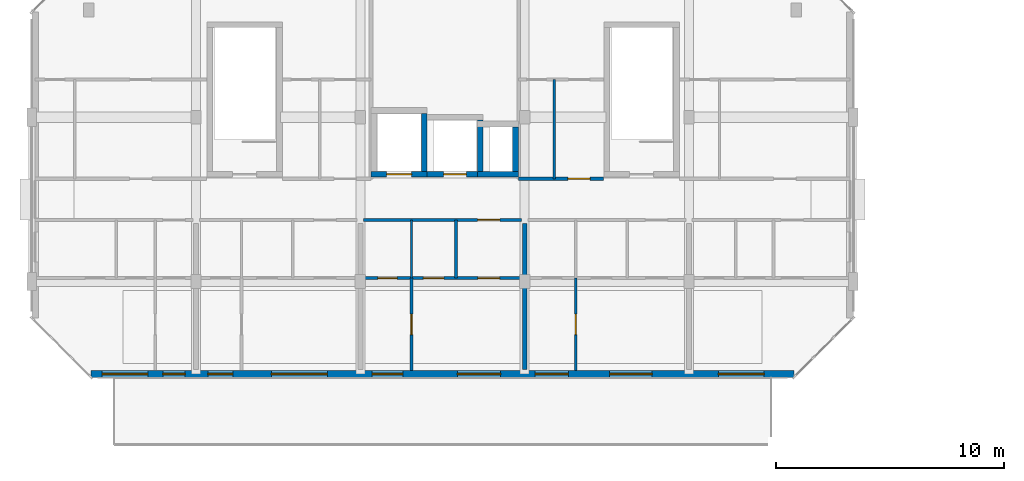
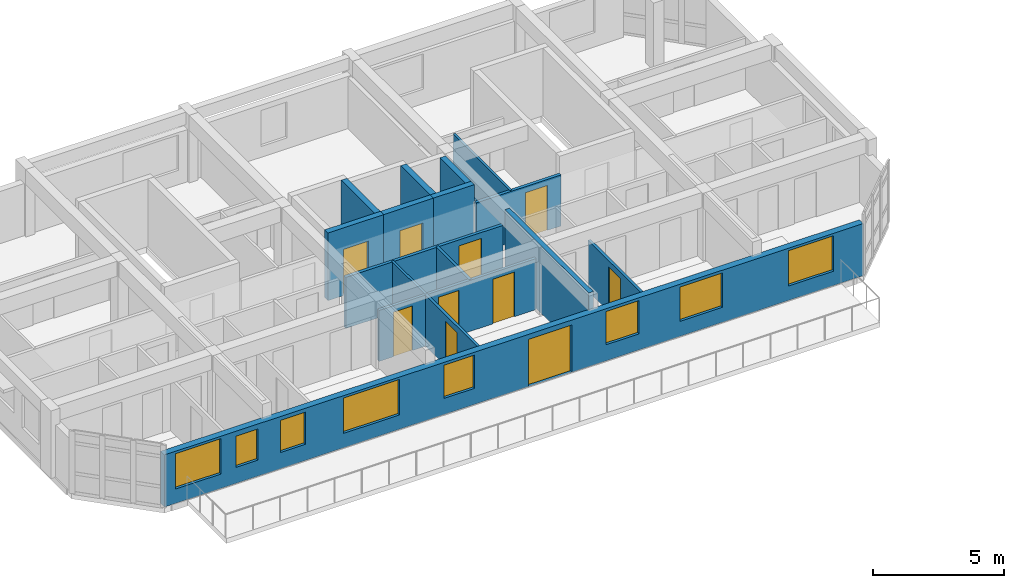
# One storey, part 16 of 40: 16 walls, 10 doors, 8 windows, 18 openings.
"""IFC4 building model written with IfcOpenShell, lengths in metres."""

from ifc_helpers import new_model, si_unit, direction, frame, frame_2d, origin, place, context, subcontext, project, spatial, rectangle, extrude, material, layer, layer_set, type_object, element, fill, save


model = new_model("IFC4")

# Units and contexts
model_context = context("Model", 3, precision=1e-05, world=origin(), true_north=direction((0.0, 1.0)))
body_context = subcontext(model_context, "Body", "Model", "MODEL_VIEW")
ifc_project = project(units=[si_unit("LENGTHUNIT", "METRE"), si_unit("AREAUNIT", "SQUARE_METRE"), si_unit("VOLUMEUNIT", "CUBIC_METRE"), si_unit("PLANEANGLEUNIT", "RADIAN"), si_unit("MASSUNIT", "GRAM", prefix="KILO")], contexts=[model_context])

# Site, building, storey
site_placement = place(None, origin())
site = spatial("IfcSite", under=ifc_project, at=site_placement, CompositionType="ELEMENT")
building_placement = place(site_placement, origin())
building = spatial("IfcBuilding", under=site, at=building_placement, Name="Ochrevale Crest", CompositionType="ELEMENT")
storey_placement = place(building_placement, frame((0.0, 0.0, 27.60009765625)))
storey = spatial("IfcBuildingStorey", under=building, at=storey_placement, Name="L08", CompositionType="ELEMENT", Elevation=27.60009765625)

# Wall, opening, door
ifc_material_1 = material(Name="Gypsum plasterboard", Category="gypsum")
ifc_layer_1 = layer(ifc_material_1, 0.139892578125)
ifc_layer_set_1 = layer_set([ifc_layer_1], Name="Gypsum plasterboard")
wall_type_1 = type_object("IfcWallType", Name="WL-COR-140", PredefinedType="PARTITIONING", material=ifc_layer_set_1)
wall_1_placement = place(storey_placement, frame((14.5400390625, 24.300048828125, 0.0), z_axis=(0.0, 0.0, 1.0), x_axis=(1.0, 0.0, 0.0)))
wall_1 = element("IfcWall", 1, at=wall_1_placement, inside=storey, type_object=wall_type_1, Name="Apartment A-L08-U3 corridor wall", PredefinedType="PARTITIONING", context=body_context, shape_type="SweptSolid", body=[
    extrude(rectangle(XDim=6.919921875, YDim=0.139892578125, at=frame_2d((3.4599609375, 0.0))), origin(), (0.0, 0.0, 1.0), 2.3798828125),
])
opening_1_placement = place(wall_1_placement, frame((5.97509765625, 0.0, 0.0), z_axis=(0.0, 0.0, 1.0), x_axis=(-1.0, 0.0, 0.0)))
opening_1 = element("IfcOpeningElement", 2, at=opening_1_placement, cuts=wall_1, Name="Opening FD01", PredefinedType="OPENING", context=body_context, shape_type="SweptSolid", body=[
    extrude(rectangle(XDim=0.97998046875, YDim=2.10009765625, at=frame_2d((0.489990234375, 1.050048828125))), frame((0.0, 0.080078125, 0.0), z_axis=(0.0, -1.0, 0.0), x_axis=(1.0, 0.0, 0.0)), (0.0, 0.0, 1.0), 0.159912109375),
])
ifc_material_2 = material(Name="Solid-core FSC hardwood", Category="wood")
door_type_1 = type_object("IfcDoorType", Name="DR-APT-950", OperationType="NOTDEFINED", PredefinedType="DOOR", material=ifc_material_2)
door_1_placement = place(opening_1_placement, origin())
door_1 = element("IfcDoor", 3, at=door_1_placement, inside=storey, type_object=door_type_1, Name="Apartment A-L08-U3 entrance door", OperationType="SINGLE_SWING_RIGHT", OverallHeight=2.10009765625, OverallWidth=0.97998046875, PredefinedType="DOOR", context=body_context, shape_type="SweptSolid", body=[
    extrude(rectangle(XDim=0.97998046875, YDim=2.10009765625, at=frame_2d((0.489990234375, 1.050048828125))), frame((0.0, 0.02490234375, 0.0), z_axis=(0.0, -1.0, 0.0), x_axis=(1.0, 0.0, 0.0)), (0.0, 0.0, 1.0), 0.050048828125),
])
fill(opening_1, door_1)

wall_2_placement = place(storey_placement, frame((21.340087890625, 26.10009765625, 0.0), z_axis=(0.0, 0.0, 1.0), x_axis=(1.0, 0.0, 0.0)))
wall_2 = element("IfcWall", 4, at=wall_2_placement, inside=storey, type_object=wall_type_1, Name="Suite A-L08-ME corridor wall", PredefinedType="PARTITIONING", context=body_context, shape_type="SweptSolid", body=[
    extrude(rectangle(XDim=3.719970703125, YDim=0.139892578125, at=frame_2d((1.85986328125, 0.0))), origin(), (0.0, 0.0, 1.0), 2.3798828125),
])
opening_2_placement = place(wall_2_placement, frame((3.131103515625, 0.0, 0.0), z_axis=(0.0, 0.0, 1.0), x_axis=(-1.0, 0.0, 0.0)))
opening_2 = element("IfcOpeningElement", 5, at=opening_2_placement, cuts=wall_2, Name="Opening FD01", PredefinedType="OPENING", context=body_context, shape_type="SweptSolid", body=[
    extrude(rectangle(XDim=0.97998046875, YDim=2.10009765625, at=frame_2d((0.489990234375, 1.050048828125))), frame((0.0, 0.080078125, 0.0), z_axis=(0.0, -1.0, 0.0), x_axis=(1.0, 0.0, 0.0)), (0.0, 0.0, 1.0), 0.159912109375),
])
door_2_placement = place(opening_2_placement, origin())
door_2 = element("IfcDoor", 6, at=door_2_placement, inside=storey, type_object=door_type_1, Name="Suite A-L08-ME entrance door", OperationType="SINGLE_SWING_RIGHT", OverallHeight=2.10009765625, OverallWidth=0.97998046875, PredefinedType="DOOR", context=body_context, shape_type="SweptSolid", body=[
    extrude(rectangle(XDim=0.97998046875, YDim=2.10009765625, at=frame_2d((0.489990234375, 1.050048828125))), frame((0.0, 0.02490234375, 0.0), z_axis=(0.0, -1.0, 0.0), x_axis=(1.0, 0.0, 0.0)), (0.0, 0.0, 1.0), 0.050048828125),
])
fill(opening_2, door_2)

ifc_material_3 = material(Name="Precast concrete C50/60", Category="concrete")
ifc_layer_2 = layer(ifc_material_3, 0.2548828125)
ifc_layer_set_2 = layer_set([ifc_layer_2], Name="Precast concrete C50/60")
wall_type_2 = type_object("IfcWallType", Name="WL-CORE-255", PredefinedType="SHEAR", material=ifc_layer_set_2)
wall_3_placement = place(storey_placement, frame((14.87255859375, 26.300048828125, 0.0), z_axis=(0.0, 0.0, 1.0), x_axis=(1.0, 0.0, 0.0)))
wall_3 = element("IfcWall", 7, at=wall_3_placement, inside=storey, type_object=wall_type_2, Name="Block A L08 Lift 1 precast shaft shear wall S", PredefinedType="SHEAR", context=body_context, shape_type="SweptSolid", body=[
    extrude(rectangle(XDim=2.454833984375, YDim=0.2548828125, at=frame_2d((1.2275390625, 0.0))), origin(), (0.0, 0.0, 1.0), 3.14990234375),
])
opening_3_placement = place(wall_3_placement, frame((0.677490234375, 0.0, 0.0)))
opening_3 = element("IfcOpeningElement", 8, at=opening_3_placement, cuts=wall_3, Name="Opening LD01", PredefinedType="OPENING", context=body_context, shape_type="SweptSolid", body=[
    extrude(rectangle(XDim=1.10009765625, YDim=2.14990234375, at=frame_2d((0.550048828125, 1.074951171875))), frame((0.0, 0.137451171875, 0.0), z_axis=(0.0, -1.0, 0.0), x_axis=(1.0, 0.0, 0.0)), (0.0, 0.0, 1.0), 0.27490234375),
])
door_type_2 = type_object("IfcDoorType", Name="DR-LIFT-1100", OperationType="NOTDEFINED", PredefinedType="DOOR", material=ifc_material_2)
door_3_placement = place(opening_3_placement, origin())
door_3 = element("IfcDoor", 9, at=door_3_placement, inside=storey, type_object=door_type_2, Name="Lift LF-A1 L08 sliding landing door", OperationType="SLIDING_TO_LEFT", OverallHeight=2.14990234375, OverallWidth=1.10009765625, PredefinedType="DOOR", context=body_context, shape_type="SweptSolid", body=[
    extrude(rectangle(XDim=1.10009765625, YDim=2.14990234375, at=frame_2d((0.550048828125, 1.074951171875))), frame((0.0, 0.02490234375, 0.0), z_axis=(0.0, -1.0, 0.0), x_axis=(1.0, 0.0, 0.0)), (0.0, 0.0, 1.0), 0.050048828125),
])
fill(opening_3, door_3)

# Wall
wall_4_placement = place(storey_placement, frame((17.199951171875, 26.427490234375, 0.0), z_axis=(0.0, 0.0, 1.0), x_axis=(0.0, 1.0, 0.0)))
element("IfcWall", 10, at=wall_4_placement, inside=storey, type_object=wall_type_2, Name="Block A L08 Lift 1 precast shaft shear wall E", PredefinedType="SHEAR", context=body_context, shape_type="SweptSolid", body=[
    extrude(rectangle(XDim=2.544921875, YDim=0.2548828125, at=frame_2d((1.2724609375, 0.0))), origin(), (0.0, 0.0, 1.0), 3.14990234375),
])

# Wall, opening, door
wall_5_placement = place(storey_placement, frame((17.322509765625, 26.300048828125, 0.0), z_axis=(0.0, 0.0, 1.0), x_axis=(1.0, 0.0, 0.0)))
wall_5 = element("IfcWall", 11, at=wall_5_placement, inside=storey, type_object=wall_type_2, Name="Block A L08 Lift 2 precast shaft shear wall S", PredefinedType="SHEAR", context=body_context, shape_type="SweptSolid", body=[
    extrude(rectangle(XDim=2.455078125, YDim=0.2548828125, at=frame_2d((1.2275390625, 0.0))), origin(), (0.0, 0.0, 1.0), 3.14990234375),
])
opening_4_placement = place(wall_5_placement, frame((0.7275390625, 0.0, 0.0)))
opening_4 = element("IfcOpeningElement", 12, at=opening_4_placement, cuts=wall_5, Name="Opening LD02", PredefinedType="OPENING", context=body_context, shape_type="SweptSolid", body=[
    extrude(rectangle(XDim=1.0, YDim=2.14990234375, at=frame_2d((0.5, 1.074951171875))), frame((0.0, 0.137451171875, 0.0), z_axis=(0.0, -1.0, 0.0), x_axis=(1.0, 0.0, 0.0)), (0.0, 0.0, 1.0), 0.27490234375),
])
door_type_3 = type_object("IfcDoorType", Name="DR-LIFT-1000", OperationType="NOTDEFINED", PredefinedType="DOOR", material=ifc_material_2)
door_4_placement = place(opening_4_placement, origin())
door_4 = element("IfcDoor", 13, at=door_4_placement, inside=storey, type_object=door_type_3, Name="Lift LP-A2 L08 sliding landing door", OperationType="SLIDING_TO_RIGHT", OverallHeight=2.14990234375, OverallWidth=1.0, PredefinedType="DOOR", context=body_context, shape_type="SweptSolid", body=[
    extrude(rectangle(XDim=1.0, YDim=2.14990234375, at=frame_2d((0.5, 1.074951171875))), frame((0.0, 0.02490234375, 0.0), z_axis=(0.0, -1.0, 0.0), x_axis=(1.0, 0.0, 0.0)), (0.0, 0.0, 1.0), 0.050048828125),
])
fill(opening_4, door_4)

# Walls
wall_6_placement = place(storey_placement, frame((19.64990234375, 26.427490234375, 0.0), z_axis=(0.0, 0.0, 1.0), x_axis=(0.0, 1.0, 0.0)))
element("IfcWall", 14, at=wall_6_placement, inside=storey, type_object=wall_type_2, Name="Block A L08 Lift 2 precast shaft shear wall E", PredefinedType="SHEAR", context=body_context, shape_type="SweptSolid", body=[
    extrude(rectangle(XDim=2.2451171875, YDim=0.2548828125, at=frame_2d((1.12255859375, 0.0))), origin(), (0.0, 0.0, 1.0), 3.14990234375),
])
wall_7_placement = place(storey_placement, frame((19.5224609375, 26.300048828125, 0.0), z_axis=(0.0, 0.0, 1.0), x_axis=(1.0, 0.0, 0.0)))
element("IfcWall", 15, at=wall_7_placement, inside=storey, type_object=wall_type_2, Name="Block A L08 services riser shaft core wall S", PredefinedType="SHEAR", context=body_context, shape_type="SweptSolid", body=[
    extrude(rectangle(XDim=1.804931640625, YDim=0.2548828125, at=frame_2d((0.90234375, 0.0))), origin(), (0.0, 0.0, 1.0), 3.14990234375),
])
wall_8_placement = place(storey_placement, frame((21.199951171875, 26.427490234375, 0.0), z_axis=(0.0, 0.0, 1.0), x_axis=(0.0, 1.0, 0.0)))
element("IfcWall", 16, at=wall_8_placement, inside=storey, type_object=wall_type_2, Name="Block A L08 services riser shaft core wall E", PredefinedType="SHEAR", context=body_context, shape_type="SweptSolid", body=[
    extrude(rectangle(XDim=1.945068359375, YDim=0.2548828125, at=frame_2d((0.97265625, 0.0))), origin(), (0.0, 0.0, 1.0), 3.14990234375),
])

# Wall, openings, door, windows
ifc_material_4 = material(Name="Clay face brickwork", Category="masonry")
ifc_layer_3 = layer(ifc_material_4, 0.2900390625)
ifc_layer_set_3 = layer_set([ifc_layer_3], Name="Clay face brickwork")
wall_type_3 = type_object("IfcWallType", Name="WL-EXT-BRICK-290", PredefinedType="SOLIDWALL", material=ifc_layer_set_3)
wall_9_placement = place(storey_placement, frame((2.60009765625, 17.544921875, 0.0), z_axis=(0.0, 0.0, 1.0), x_axis=(1.0, 0.0, 0.0)))
wall_9 = element("IfcWall", 17, at=wall_9_placement, inside=storey, type_object=wall_type_3, Name="Block A L08 external facade wall E1", PredefinedType="SOLIDWALL", context=body_context, shape_type="SweptSolid", body=[
    extrude(rectangle(XDim=30.7998046875, YDim=0.2900390625, at=frame_2d((15.39990234375, 0.0))), origin(), (0.0, 0.0, 1.0), 2.429931640625),
])
opening_5_placement = place(wall_9_placement, frame((17.949951171875, 0.0, 0.0), z_axis=(0.0, 0.0, 1.0), x_axis=(-1.0, 0.0, 0.0)))
opening_5 = element("IfcOpeningElement", 18, at=opening_5_placement, cuts=wall_9, Name="Opening TD01", PredefinedType="OPENING", context=body_context, shape_type="SweptSolid", body=[
    extrude(rectangle(XDim=1.89990234375, YDim=2.199951171875, at=frame_2d((0.949951171875, 1.10009765625))), frame((0.0, 0.155029296875, 0.0), z_axis=(0.0, -1.0, 0.0), x_axis=(1.0, 0.0, 0.0)), (0.0, 0.0, 1.0), 0.31005859375),
])
opening_6_placement = place(wall_9_placement, frame((0.485107421875, 0.0, 0.669921875)))
opening_6 = element("IfcOpeningElement", 19, at=opening_6_placement, cuts=wall_9, Name="Opening W12", PredefinedType="OPENING", context=body_context, shape_type="SweptSolid", body=[
    extrude(rectangle(XDim=2.0, YDim=1.64990234375, at=frame_2d((1.0, 0.824951171875))), frame((0.0, 0.155029296875, 0.0), z_axis=(0.0, -1.0, 0.0), x_axis=(1.0, 0.0, 0.0)), (0.0, 0.0, 1.0), 0.31005859375),
])
opening_7_placement = place(wall_9_placement, frame((3.14501953125, 0.0, 0.75)))
opening_7 = element("IfcOpeningElement", 20, at=opening_7_placement, cuts=wall_9, Name="Opening W04", PredefinedType="OPENING", context=body_context, shape_type="SweptSolid", body=[
    extrude(rectangle(XDim=0.97998046875, YDim=1.449951171875, at=frame_2d((0.489990234375, 0.72509765625))), frame((0.0, 0.155029296875, 0.0), z_axis=(0.0, -1.0, 0.0), x_axis=(1.0, 0.0, 0.0)), (0.0, 0.0, 1.0), 0.31005859375),
])
opening_8_placement = place(wall_9_placement, frame((5.114990234375, 0.0, 0.75)))
opening_8 = element("IfcOpeningElement", 21, at=opening_8_placement, cuts=wall_9, Name="Opening W05", PredefinedType="OPENING", context=body_context, shape_type="SweptSolid", body=[
    extrude(rectangle(XDim=1.10009765625, YDim=1.5, at=frame_2d((0.550048828125, 0.75))), frame((0.0, 0.155029296875, 0.0), z_axis=(0.0, -1.0, 0.0), x_axis=(1.0, 0.0, 0.0)), (0.0, 0.0, 1.0), 0.31005859375),
])
opening_9_placement = place(wall_9_placement, frame((7.89990234375, 0.0, 0.669921875)))
opening_9 = element("IfcOpeningElement", 22, at=opening_9_placement, cuts=wall_9, Name="Opening W15", PredefinedType="OPENING", context=body_context, shape_type="SweptSolid", body=[
    extrude(rectangle(XDim=2.449951171875, YDim=1.64990234375, at=frame_2d((1.22509765625, 0.824951171875))), frame((0.0, 0.155029296875, 0.0), z_axis=(0.0, -1.0, 0.0), x_axis=(1.0, 0.0, 0.0)), (0.0, 0.0, 1.0), 0.31005859375),
])
opening_10_placement = place(wall_9_placement, frame((12.320068359375, 0.0, 0.75)))
opening_10 = element("IfcOpeningElement", 23, at=opening_10_placement, cuts=wall_9, Name="Opening W07", PredefinedType="OPENING", context=body_context, shape_type="SweptSolid", body=[
    extrude(rectangle(XDim=1.340087890625, YDim=1.550048828125, at=frame_2d((0.669921875, 0.77490234375))), frame((0.0, 0.155029296875, 0.0), z_axis=(0.0, -1.0, 0.0), x_axis=(1.0, 0.0, 0.0)), (0.0, 0.0, 1.0), 0.31005859375),
])
opening_11_placement = place(wall_9_placement, frame((19.4599609375, 0.0, 0.75)))
opening_11 = element("IfcOpeningElement", 24, at=opening_11_placement, cuts=wall_9, Name="Opening W08", PredefinedType="OPENING", context=body_context, shape_type="SweptSolid", body=[
    extrude(rectangle(XDim=1.4599609375, YDim=1.550048828125, at=frame_2d((0.72998046875, 0.77490234375))), frame((0.0, 0.155029296875, 0.0), z_axis=(0.0, -1.0, 0.0), x_axis=(1.0, 0.0, 0.0)), (0.0, 0.0, 1.0), 0.31005859375),
])
opening_12_placement = place(wall_9_placement, frame((22.719970703125, 0.0, 0.699951171875)))
opening_12 = element("IfcOpeningElement", 25, at=opening_12_placement, cuts=wall_9, Name="Opening W11", PredefinedType="OPENING", context=body_context, shape_type="SweptSolid", body=[
    extrude(rectangle(XDim=1.860107421875, YDim=1.60009765625, at=frame_2d((0.93017578125, 0.800048828125))), frame((0.0, 0.155029296875, 0.0), z_axis=(0.0, -1.0, 0.0), x_axis=(1.0, 0.0, 0.0)), (0.0, 0.0, 1.0), 0.31005859375),
])
opening_13_placement = place(wall_9_placement, frame((27.489990234375, 0.0, 0.669921875)))
opening_13 = element("IfcOpeningElement", 26, at=opening_13_placement, cuts=wall_9, Name="Opening W12", PredefinedType="OPENING", context=body_context, shape_type="SweptSolid", body=[
    extrude(rectangle(XDim=2.0, YDim=1.64990234375, at=frame_2d((1.0, 0.824951171875))), frame((0.0, 0.155029296875, 0.0), z_axis=(0.0, -1.0, 0.0), x_axis=(1.0, 0.0, 0.0)), (0.0, 0.0, 1.0), 0.31005859375),
])
ifc_material_5 = material(Name="Anodised aluminium 6063-T5 and toughened glass", Category="aluminium")
door_type_4 = type_object("IfcDoorType", Name="DR-TER-1900", OperationType="NOTDEFINED", PredefinedType="DOOR", material=ifc_material_5)
door_5_placement = place(opening_5_placement, origin())
door_5 = element("IfcDoor", 27, at=door_5_placement, inside=storey, type_object=door_type_4, Name="Block A L08 roof-terrace double glazed door", OperationType="DOUBLE_DOOR_SINGLE_SWING", OverallHeight=2.199951171875, OverallWidth=1.89990234375, PredefinedType="DOOR", context=body_context, shape_type="SweptSolid", body=[
    extrude(rectangle(XDim=1.89990234375, YDim=2.199951171875, at=frame_2d((0.949951171875, 1.10009765625))), frame((0.0, 0.02490234375, 0.0), z_axis=(0.0, -1.0, 0.0), x_axis=(1.0, 0.0, 0.0)), (0.0, 0.0, 1.0), 0.050048828125),
])
fill(opening_5, door_5)
ifc_material_6 = material(Name="Anodised aluminium 6063-T5 and low-E double glazing", Category="aluminium")
window_type_1 = type_object("IfcWindowType", Name="WIN-W04", PartitioningType="SINGLE_PANEL", PredefinedType="WINDOW", material=ifc_material_6)
window_1_placement = place(opening_7_placement, origin())
window_1 = element("IfcWindow", 28, at=window_1_placement, inside=storey, type_object=window_type_1, Name="Block A L08 Apartment A-L08-U1 Two Bedroom Living Room window", OverallHeight=1.449951171875, OverallWidth=0.97998046875, PartitioningType="SINGLE_PANEL", PredefinedType="WINDOW", context=body_context, shape_type="SweptSolid", body=[
    extrude(rectangle(XDim=0.97998046875, YDim=1.449951171875, at=frame_2d((0.489990234375, 0.72509765625))), frame((0.0, 0.030029296875, 0.0), z_axis=(0.0, -1.0, 0.0), x_axis=(1.0, 0.0, 0.0)), (0.0, 0.0, 1.0), 0.06005859375),
])
fill(opening_7, window_1)
window_type_2 = type_object("IfcWindowType", Name="WIN-W05", PartitioningType="SINGLE_PANEL", PredefinedType="WINDOW", material=ifc_material_6)
window_2_placement = place(opening_8_placement, origin())
window_2 = element("IfcWindow", 29, at=window_2_placement, inside=storey, type_object=window_type_2, Name="Block A L08 Apartment A-L08-U2 Master Bedroom window", OverallHeight=1.5, OverallWidth=1.10009765625, PartitioningType="SINGLE_PANEL", PredefinedType="WINDOW", context=body_context, shape_type="SweptSolid", body=[
    extrude(rectangle(XDim=1.10009765625, YDim=1.5, at=frame_2d((0.550048828125, 0.75))), frame((0.0, 0.030029296875, 0.0), z_axis=(0.0, -1.0, 0.0), x_axis=(1.0, 0.0, 0.0)), (0.0, 0.0, 1.0), 0.06005859375),
])
fill(opening_8, window_2)
window_type_3 = type_object("IfcWindowType", Name="WIN-W07", PartitioningType="SINGLE_PANEL", PredefinedType="WINDOW", material=ifc_material_6)
window_3_placement = place(opening_10_placement, origin())
window_3 = element("IfcWindow", 30, at=window_3_placement, inside=storey, type_object=window_type_3, Name="Block A L08 Apartment A-L08-U3 Master Bedroom window", OverallHeight=1.550048828125, OverallWidth=1.340087890625, PartitioningType="SINGLE_PANEL", PredefinedType="WINDOW", context=body_context, shape_type="SweptSolid", body=[
    extrude(rectangle(XDim=1.340087890625, YDim=1.550048828125, at=frame_2d((0.669921875, 0.77490234375))), frame((0.0, 0.030029296875, 0.0), z_axis=(0.0, -1.0, 0.0), x_axis=(1.0, 0.0, 0.0)), (0.0, 0.0, 1.0), 0.06005859375),
])
fill(opening_10, window_3)
window_type_4 = type_object("IfcWindowType", Name="WIN-W08", PartitioningType="SINGLE_PANEL", PredefinedType="WINDOW", material=ifc_material_6)
window_4_placement = place(opening_11_placement, origin())
window_4 = element("IfcWindow", 31, at=window_4_placement, inside=storey, type_object=window_type_4, Name="Block A L08 Apartment A-L08-U4 Twin Bedroom window", OverallHeight=1.550048828125, OverallWidth=1.4599609375, PartitioningType="SINGLE_PANEL", PredefinedType="WINDOW", context=body_context, shape_type="SweptSolid", body=[
    extrude(rectangle(XDim=1.4599609375, YDim=1.550048828125, at=frame_2d((0.72998046875, 0.77490234375))), frame((0.0, 0.030029296875, 0.0), z_axis=(0.0, -1.0, 0.0), x_axis=(1.0, 0.0, 0.0)), (0.0, 0.0, 1.0), 0.06005859375),
])
fill(opening_11, window_4)
window_type_5 = type_object("IfcWindowType", Name="WIN-W11", PartitioningType="SINGLE_PANEL", PredefinedType="WINDOW", material=ifc_material_6)
window_5_placement = place(opening_12_placement, origin())
window_5 = element("IfcWindow", 32, at=window_5_placement, inside=storey, type_object=window_type_5, Name="Block A L08 Apartment A-L08-U4 Three Bedroom Family Living window", OverallHeight=1.60009765625, OverallWidth=1.860107421875, PartitioningType="SINGLE_PANEL", PredefinedType="WINDOW", context=body_context, shape_type="SweptSolid", body=[
    extrude(rectangle(XDim=1.860107421875, YDim=1.60009765625, at=frame_2d((0.93017578125, 0.800048828125))), frame((0.0, 0.030029296875, 0.0), z_axis=(0.0, -1.0, 0.0), x_axis=(1.0, 0.0, 0.0)), (0.0, 0.0, 1.0), 0.06005859375),
])
fill(opening_12, window_5)
window_type_6 = type_object("IfcWindowType", Name="WIN-W12", PartitioningType="SINGLE_PANEL", PredefinedType="WINDOW", material=ifc_material_6)
window_6_placement = place(opening_6_placement, origin())
window_6 = element("IfcWindow", 33, at=window_6_placement, inside=storey, type_object=window_type_6, Name="Block A L08 Apartment A-L08-U1 Double Bedroom window", OverallHeight=1.64990234375, OverallWidth=2.0, PartitioningType="SINGLE_PANEL", PredefinedType="WINDOW", context=body_context, shape_type="SweptSolid", body=[
    extrude(rectangle(XDim=2.0, YDim=1.64990234375, at=frame_2d((1.0, 0.824951171875))), frame((0.0, 0.030029296875, 0.0), z_axis=(0.0, -1.0, 0.0), x_axis=(1.0, 0.0, 0.0)), (0.0, 0.0, 1.0), 0.06005859375),
])
fill(opening_6, window_6)
window_7_placement = place(opening_13_placement, origin())
window_7 = element("IfcWindow", 34, at=window_7_placement, inside=storey, type_object=window_type_6, Name="Block A L08 Studio A-L08-U5 Living Room window", OverallHeight=1.64990234375, OverallWidth=2.0, PartitioningType="SINGLE_PANEL", PredefinedType="WINDOW", context=body_context, shape_type="SweptSolid", body=[
    extrude(rectangle(XDim=2.0, YDim=1.64990234375, at=frame_2d((1.0, 0.824951171875))), frame((0.0, 0.030029296875, 0.0), z_axis=(0.0, -1.0, 0.0), x_axis=(1.0, 0.0, 0.0)), (0.0, 0.0, 1.0), 0.06005859375),
])
fill(opening_13, window_7)
window_type_7 = type_object("IfcWindowType", Name="WIN-W15", PartitioningType="SINGLE_PANEL", PredefinedType="WINDOW", material=ifc_material_6)
window_8_placement = place(opening_9_placement, origin())
window_8 = element("IfcWindow", 35, at=window_8_placement, inside=storey, type_object=window_type_7, Name="Block A L08 Apartment A-L08-U2 One Bedroom Living Room window", OverallHeight=1.64990234375, OverallWidth=2.449951171875, PartitioningType="SINGLE_PANEL", PredefinedType="WINDOW", context=body_context, shape_type="SweptSolid", body=[
    extrude(rectangle(XDim=2.449951171875, YDim=1.64990234375, at=frame_2d((1.22509765625, 0.824951171875))), frame((0.0, 0.030029296875, 0.0), z_axis=(0.0, -1.0, 0.0), x_axis=(1.0, 0.0, 0.0)), (0.0, 0.0, 1.0), 0.06005859375),
])
fill(opening_9, window_8)

# Wall
ifc_layer_4 = layer(ifc_material_1, 0.1201171875)
ifc_layer_set_4 = layer_set([ifc_layer_4], Name="Gypsum plasterboard")
wall_type_4 = type_object("IfcWallType", Name="WL-PART-120", PredefinedType="PARTITIONING", material=ifc_layer_set_4)
wall_10_placement = place(storey_placement, frame((18.590087890625, 21.75, 0.0), z_axis=(0.0, 0.0, 1.0), x_axis=(0.0, 1.0, 0.0)))
element("IfcWall", 36, at=wall_10_placement, inside=storey, type_object=wall_type_4, Name="Apartment A-L08-U3 kitchen-foyer wall", PredefinedType="PARTITIONING", context=body_context, shape_type="SweptSolid", body=[
    extrude(rectangle(XDim=2.550048828125, YDim=0.1201171875, at=frame_2d((1.27490234375, 0.0))), origin(), (0.0, 0.0, 1.0), 2.3798828125),
])

# Wall, openings, doors
wall_11_placement = place(storey_placement, frame((14.5400390625, 21.75, 0.0), z_axis=(0.0, 0.0, 1.0), x_axis=(1.0, 0.0, 0.0)))
wall_11 = element("IfcWall", 37, at=wall_11_placement, inside=storey, type_object=wall_type_4, Name="Apartment A-L08-U3 central partition", PredefinedType="PARTITIONING", context=body_context, shape_type="SweptSolid", body=[
    extrude(rectangle(XDim=6.919921875, YDim=0.1201171875, at=frame_2d((3.4599609375, 0.0))), origin(), (0.0, 0.0, 1.0), 2.3798828125),
])
opening_14_placement = place(wall_11_placement, frame((0.625, 0.0, 0.0)))
opening_14 = element("IfcOpeningElement", 38, at=opening_14_placement, cuts=wall_11, Name="Opening ID01", PredefinedType="OPENING", context=body_context, shape_type="SweptSolid", body=[
    extrude(rectangle(XDim=0.85009765625, YDim=2.080078125, at=frame_2d((0.425048828125, 1.0400390625))), frame((0.0, 0.070068359375, 0.0), z_axis=(0.0, -1.0, 0.0), x_axis=(1.0, 0.0, 0.0)), (0.0, 0.0, 1.0), 0.14013671875),
])
opening_15_placement = place(wall_11_placement, frame((3.52490234375, 0.0, 0.0), z_axis=(0.0, 0.0, 1.0), x_axis=(-1.0, 0.0, 0.0)))
opening_15 = element("IfcOpeningElement", 39, at=opening_15_placement, cuts=wall_11, Name="Opening ID02", PredefinedType="OPENING", context=body_context, shape_type="SweptSolid", body=[
    extrude(rectangle(XDim=0.89990234375, YDim=2.080078125, at=frame_2d((0.449951171875, 1.0400390625))), frame((0.0, 0.070068359375, 0.0), z_axis=(0.0, -1.0, 0.0), x_axis=(1.0, 0.0, 0.0)), (0.0, 0.0, 1.0), 0.14013671875),
])
opening_16_placement = place(wall_11_placement, frame((5.010009765625, 0.0, 0.0)))
opening_16 = element("IfcOpeningElement", 40, at=opening_16_placement, cuts=wall_11, Name="Opening ID06", PredefinedType="OPENING", context=body_context, shape_type="SweptSolid", body=[
    extrude(rectangle(XDim=0.949951171875, YDim=2.080078125, at=frame_2d((0.47509765625, 1.0400390625))), frame((0.0, 0.070068359375, 0.0), z_axis=(0.0, -1.0, 0.0), x_axis=(1.0, 0.0, 0.0)), (0.0, 0.0, 1.0), 0.14013671875),
])
door_type_5 = type_object("IfcDoorType", Name="DR-INT-900", OperationType="NOTDEFINED", PredefinedType="DOOR", material=ifc_material_2)
door_6_placement = place(opening_15_placement, origin())
door_6 = element("IfcDoor", 41, at=door_6_placement, inside=storey, type_object=door_type_5, Name="Apartment A-L08-U3 Kitchen door", OperationType="SINGLE_SWING_RIGHT", OverallHeight=2.080078125, OverallWidth=0.89990234375, PredefinedType="DOOR", context=body_context, shape_type="SweptSolid", body=[
    extrude(rectangle(XDim=0.89990234375, YDim=2.080078125, at=frame_2d((0.449951171875, 1.0400390625))), frame((0.0, 0.02490234375, 0.0), z_axis=(0.0, -1.0, 0.0), x_axis=(1.0, 0.0, 0.0)), (0.0, 0.0, 1.0), 0.050048828125),
])
fill(opening_15, door_6)
door_type_6 = type_object("IfcDoorType", Name="DR-INT-950", OperationType="NOTDEFINED", PredefinedType="DOOR", material=ifc_material_2)
door_7_placement = place(opening_16_placement, origin())
door_7 = element("IfcDoor", 42, at=door_7_placement, inside=storey, type_object=door_type_6, Name="Apartment A-L08-U3 Living Foyer door", OperationType="SINGLE_SWING_LEFT", OverallHeight=2.080078125, OverallWidth=0.949951171875, PredefinedType="DOOR", context=body_context, shape_type="SweptSolid", body=[
    extrude(rectangle(XDim=0.949951171875, YDim=2.080078125, at=frame_2d((0.47509765625, 1.0400390625))), frame((0.0, 0.02490234375, 0.0), z_axis=(0.0, -1.0, 0.0), x_axis=(1.0, 0.0, 0.0)), (0.0, 0.0, 1.0), 0.050048828125),
])
fill(opening_16, door_7)
door_type_7 = type_object("IfcDoorType", Name="DR-WC-850", OperationType="NOTDEFINED", PredefinedType="DOOR", material=ifc_material_2)
door_8_placement = place(opening_14_placement, origin())
door_8 = element("IfcDoor", 43, at=door_8_placement, inside=storey, type_object=door_type_7, Name="Apartment A-L08-U3 Bathroom door", OperationType="SINGLE_SWING_LEFT", OverallHeight=2.080078125, OverallWidth=0.85009765625, PredefinedType="DOOR", context=body_context, shape_type="SweptSolid", body=[
    extrude(rectangle(XDim=0.85009765625, YDim=2.080078125, at=frame_2d((0.425048828125, 1.0400390625))), frame((0.0, 0.02490234375, 0.0), z_axis=(0.0, -1.0, 0.0), x_axis=(1.0, 0.0, 0.0)), (0.0, 0.0, 1.0), 0.050048828125),
])
fill(opening_14, door_8)

# Wall, opening, door
wall_12_placement = place(storey_placement, frame((16.639892578125, 17.699951171875, 0.0), z_axis=(0.0, 0.0, 1.0), x_axis=(0.0, 1.0, 0.0)))
wall_12 = element("IfcWall", 44, at=wall_12_placement, inside=storey, type_object=wall_type_4, Name="Apartment A-L08-U3 bedroom partition", PredefinedType="PARTITIONING", context=body_context, shape_type="SweptSolid", body=[
    extrude(rectangle(XDim=4.050048828125, YDim=0.1201171875, at=frame_2d((2.02490234375, 0.0))), origin(), (0.0, 0.0, 1.0), 2.3798828125),
])
opening_17_placement = place(wall_12_placement, frame((2.474853515625, 0.0, 0.0), z_axis=(0.0, 0.0, 1.0), x_axis=(-1.0, 0.0, 0.0)))
opening_17 = element("IfcOpeningElement", 45, at=opening_17_placement, cuts=wall_12, Name="Opening ID02", PredefinedType="OPENING", context=body_context, shape_type="SweptSolid", body=[
    extrude(rectangle(XDim=0.89990234375, YDim=2.080078125, at=frame_2d((0.449951171875, 1.0400390625))), frame((0.0, 0.070068359375, 0.0), z_axis=(0.0, -1.0, 0.0), x_axis=(1.0, 0.0, 0.0)), (0.0, 0.0, 1.0), 0.14013671875),
])
door_9_placement = place(opening_17_placement, origin())
door_9 = element("IfcDoor", 46, at=door_9_placement, inside=storey, type_object=door_type_5, Name="Apartment A-L08-U3 Master Bedroom door", OperationType="SINGLE_SWING_RIGHT", OverallHeight=2.080078125, OverallWidth=0.89990234375, PredefinedType="DOOR", context=body_context, shape_type="SweptSolid", body=[
    extrude(rectangle(XDim=0.89990234375, YDim=2.080078125, at=frame_2d((0.449951171875, 1.0400390625))), frame((0.0, 0.02490234375, 0.0), z_axis=(0.0, -1.0, 0.0), x_axis=(1.0, 0.0, 0.0)), (0.0, 0.0, 1.0), 0.050048828125),
])
fill(opening_17, door_9)

wall_13_placement = place(storey_placement, frame((23.840087890625, 17.699951171875, 0.0), z_axis=(0.0, 0.0, 1.0), x_axis=(0.0, 1.0, 0.0)))
wall_13 = element("IfcWall", 47, at=wall_13_placement, inside=storey, type_object=wall_type_4, Name="Apartment A-L08-U4 bedroom partition", PredefinedType="PARTITIONING", context=body_context, shape_type="SweptSolid", body=[
    extrude(rectangle(XDim=4.050048828125, YDim=0.1201171875, at=frame_2d((2.02490234375, 0.0))), origin(), (0.0, 0.0, 1.0), 2.3798828125),
])
opening_18_placement = place(wall_13_placement, frame((1.574951171875, 0.0, 0.0)))
opening_18 = element("IfcOpeningElement", 48, at=opening_18_placement, cuts=wall_13, Name="Opening ID02", PredefinedType="OPENING", context=body_context, shape_type="SweptSolid", body=[
    extrude(rectangle(XDim=0.89990234375, YDim=2.080078125, at=frame_2d((0.449951171875, 1.0400390625))), frame((0.0, 0.070068359375, 0.0), z_axis=(0.0, -1.0, 0.0), x_axis=(1.0, 0.0, 0.0)), (0.0, 0.0, 1.0), 0.14013671875),
])
door_10_placement = place(opening_18_placement, origin())
door_10 = element("IfcDoor", 49, at=door_10_placement, inside=storey, type_object=door_type_5, Name="Apartment A-L08-U4 Twin Bedroom door", OperationType="SINGLE_SWING_LEFT", OverallHeight=2.080078125, OverallWidth=0.89990234375, PredefinedType="DOOR", context=body_context, shape_type="SweptSolid", body=[
    extrude(rectangle(XDim=0.89990234375, YDim=2.080078125, at=frame_2d((0.449951171875, 1.0400390625))), frame((0.0, 0.02490234375, 0.0), z_axis=(0.0, -1.0, 0.0), x_axis=(1.0, 0.0, 0.0)), (0.0, 0.0, 1.0), 0.050048828125),
])
fill(opening_18, door_10)

# Walls
ifc_material_7 = material(Name="Precast concrete C40/50", Category="concrete")
ifc_layer_5 = layer(ifc_material_7, 0.2099609375)
ifc_layer_set_5 = layer_set([ifc_layer_5], Name="Precast concrete C40/50")
wall_type_5 = type_object("IfcWallType", Name="WL-SHEAR-210", PredefinedType="SHEAR", material=ifc_layer_set_5)
wall_14_placement = place(storey_placement, frame((21.60009765625, 17.75, 0.0), z_axis=(0.0, 0.0, 1.0), x_axis=(0.0, 1.0, 0.0)))
element("IfcWall", 50, at=wall_14_placement, inside=storey, type_object=wall_type_5, Name="Block A L08 load-bearing precast cross-wall X=21.6", PredefinedType="SHEAR", context=body_context, shape_type="SweptSolid", body=[
    extrude(rectangle(XDim=6.39990234375, YDim=0.2099609375, at=frame_2d((3.199951171875, 0.0))), origin(), (0.0, 0.0, 1.0), 3.14990234375),
])
ifc_layer_6 = layer(ifc_material_1, 0.10009765625)
ifc_layer_set_6 = layer_set([ifc_layer_6], Name="Gypsum plasterboard")
wall_type_6 = type_object("IfcWallType", Name="WL-WET-100", PredefinedType="PARTITIONING", material=ifc_layer_set_6)
wall_15_placement = place(storey_placement, frame((16.639892578125, 21.75, 0.0), z_axis=(0.0, 0.0, 1.0), x_axis=(0.0, 1.0, 0.0)))
element("IfcWall", 51, at=wall_15_placement, inside=storey, type_object=wall_type_6, Name="Apartment A-L08-U3 bath-kitchen wall", PredefinedType="PARTITIONING", context=body_context, shape_type="SweptSolid", body=[
    extrude(rectangle(XDim=2.550048828125, YDim=0.10009765625, at=frame_2d((1.27490234375, 0.0))), origin(), (0.0, 0.0, 1.0), 2.3798828125),
])
wall_16_placement = place(storey_placement, frame((22.90234375, 26.10009765625, 0.0), z_axis=(0.0, 0.0, 1.0), x_axis=(0.0, 1.0, 0.0)))
element("IfcWall", 52, at=wall_16_placement, inside=storey, type_object=wall_type_6, Name="Suite A-L08-ME bathroom divider", PredefinedType="PARTITIONING", context=body_context, shape_type="SweptSolid", body=[
    extrude(rectangle(XDim=4.349853515625, YDim=0.10009765625, at=frame_2d((2.1748046875, 0.0))), origin(), (0.0, 0.0, 1.0), 2.3798828125),
])

save(model, "model.ifc")
